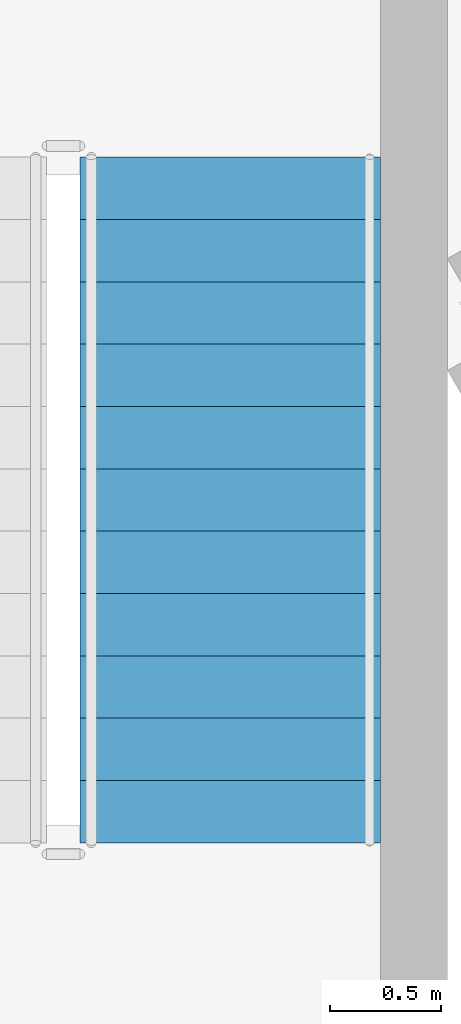
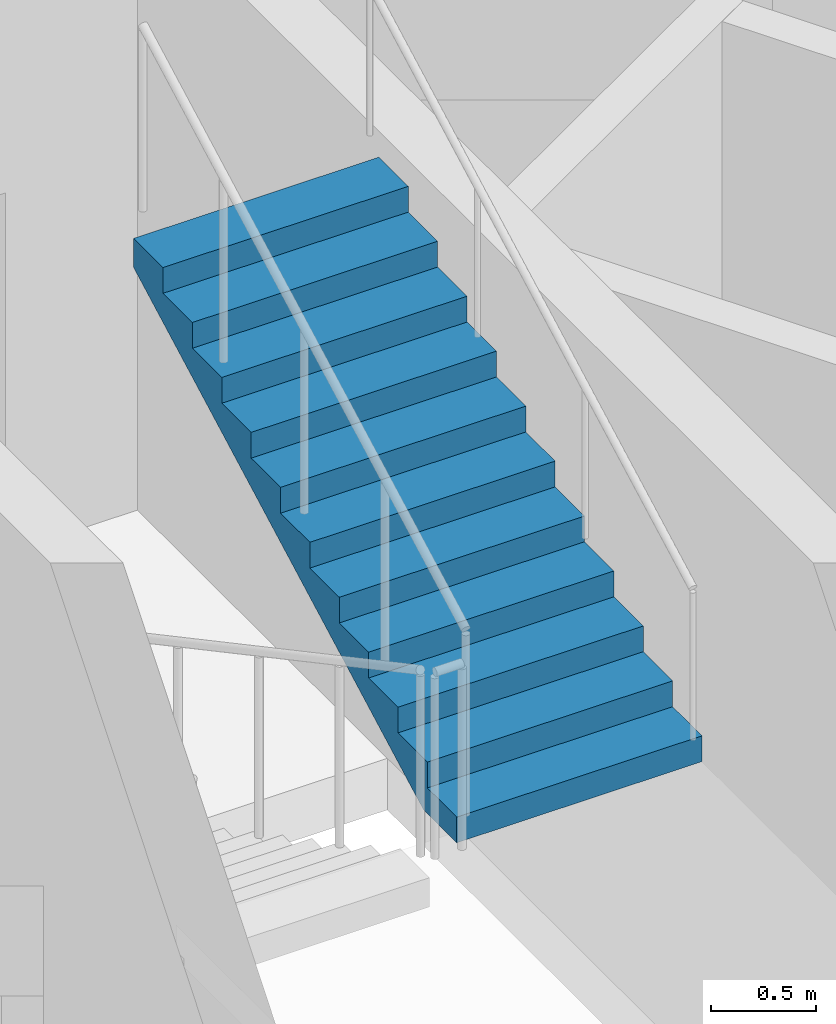
# One storey, part 11 of 18: 1 stair flight, 1 element without a shape of its own.
"""IFC4 building model written with IfcOpenShell, lengths in metres."""

from ifc_helpers import new_model, si_unit, direction, frame, origin, place, context, subcontext, project, spatial, polyline, outline, extrude, material, type_object, element, aggregate, save


model = new_model("IFC4")

# Units and contexts
model_context = context("Model", 3, precision=1e-05, world=origin(), true_north=direction((0.0, 1.0)))
body_context = subcontext(model_context, "Body", "Model", "MODEL_VIEW")
ifc_project = project(units=[si_unit("LENGTHUNIT", "METRE"), si_unit("AREAUNIT", "SQUARE_METRE"), si_unit("VOLUMEUNIT", "CUBIC_METRE"), si_unit("PLANEANGLEUNIT", "RADIAN"), si_unit("MASSUNIT", "GRAM", prefix="KILO")], contexts=[model_context])

# Site, building, storey
site_placement = place(None, origin())
site = spatial("IfcSite", under=ifc_project, at=site_placement, CompositionType="ELEMENT")
building_placement = place(site_placement, origin())
building = spatial("IfcBuilding", under=site, at=building_placement, Name="Trine Commons Tower", CompositionType="ELEMENT")
storey_placement = place(building_placement, frame((0.0, 0.0, 142.199951171875)))
storey = spatial("IfcBuildingStorey", under=building, at=storey_placement, Name="L36", CompositionType="ELEMENT", Elevation=142.199951171875)

# Stair, stair flight
ifc_material = material(Name="Concrete C50/60", Category="concrete")
stair_type = type_object("IfcStairType", Name="Exit stair, dog-leg, 24 risers of 150 mm", PredefinedType="HALF_TURN_STAIR", material=ifc_material)
stair_placement = place(storey_placement, origin())
stair = element("IfcStair", 1, at=stair_placement, inside=storey, type_object=stair_type, Name="L36 Exit stair ST1B", PredefinedType="HALF_TURN_STAIR")
stair_flight_type = type_object("IfcStairFlightType", Name="Stair flight, 1350 wide, 12 risers of 150 mm", PredefinedType="STRAIGHT", material=ifc_material)
stair_flight_placement = place(storey_placement, frame((80.75, 65.490478515625, 1.800048828125), z_axis=(0.0, 0.0, 1.0), x_axis=(0.0, 1.0, 0.0)))
stair_flight = element("IfcStairFlight", 2, at=stair_flight_placement, type_object=stair_flight_type, Name="ST1B flight 2", NumberOfRisers=12, NumberOfTreads=11, PredefinedType="STRAIGHT", RiserHeight=0.15, TreadLength=0.28, context=body_context, shape_type="SweptSolid", body=[
    extrude(outline(polyline([(0.0, 0.0), (0.0, 0.14990234375), (0.280029296875, 0.14990234375), (0.280029296875, 0.300048828125), (0.56005859375, 0.300048828125), (0.56005859375, 0.449951171875), (0.840087890625, 0.449951171875), (0.840087890625, 0.60009765625), (1.1201171875, 0.60009765625), (1.1201171875, 0.75), (1.39990234375, 0.75), (1.39990234375, 0.89990234375), (1.679931640625, 0.89990234375), (1.679931640625, 1.050048828125), (1.9599609375, 1.050048828125), (1.9599609375, 1.199951171875), (2.239990234375, 1.199951171875), (2.239990234375, 1.35009765625), (2.52001953125, 1.35009765625), (2.52001953125, 1.5), (2.800048828125, 1.5), (2.800048828125, 1.64990234375), (3.080078125, 1.64990234375), (3.080078125, 1.800048828125), (3.080078125, 1.47998046875), (0.3173828125, 0.0), (0.0, 0.0)])), frame((0.0, 0.675048828125, 0.0), z_axis=(0.0, -1.0, 0.0), x_axis=(1.0, 0.0, 0.0)), (0.0, 0.0, 1.0), 1.35009765625),
])
aggregate(stair, [stair_flight])

save(model, "model.ifc")
